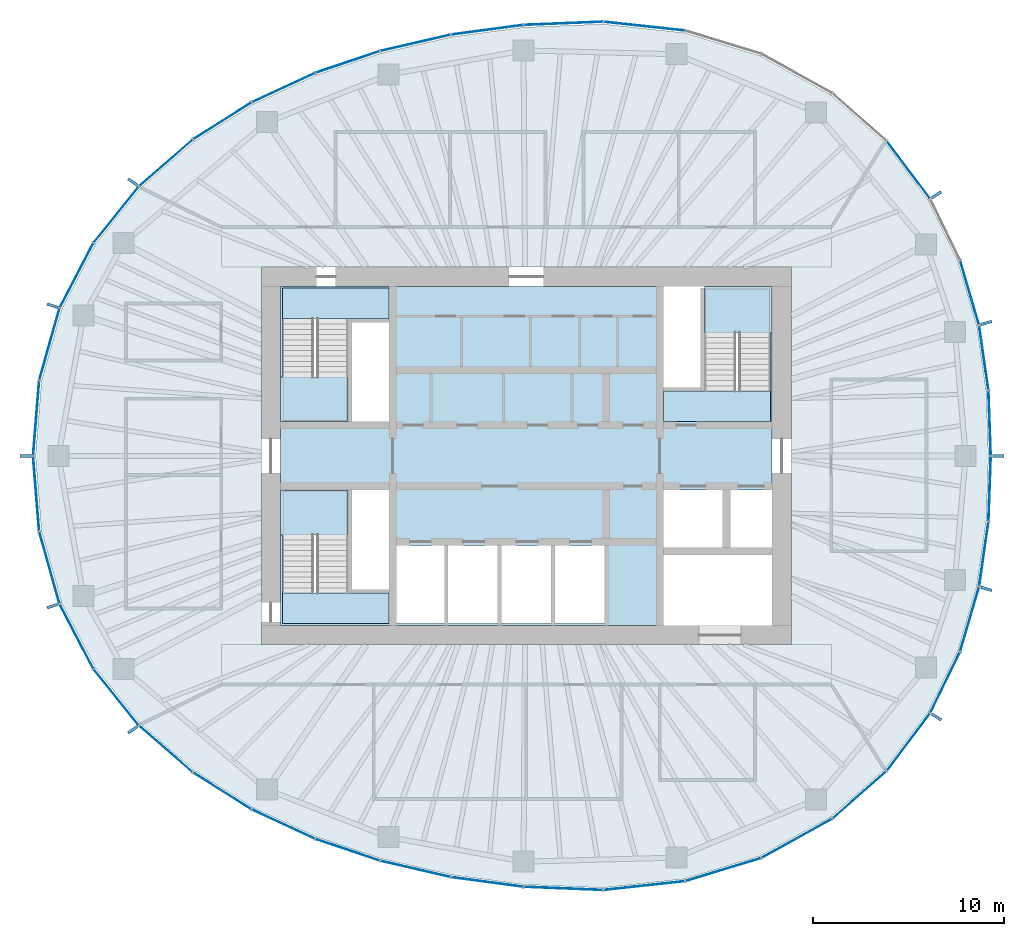
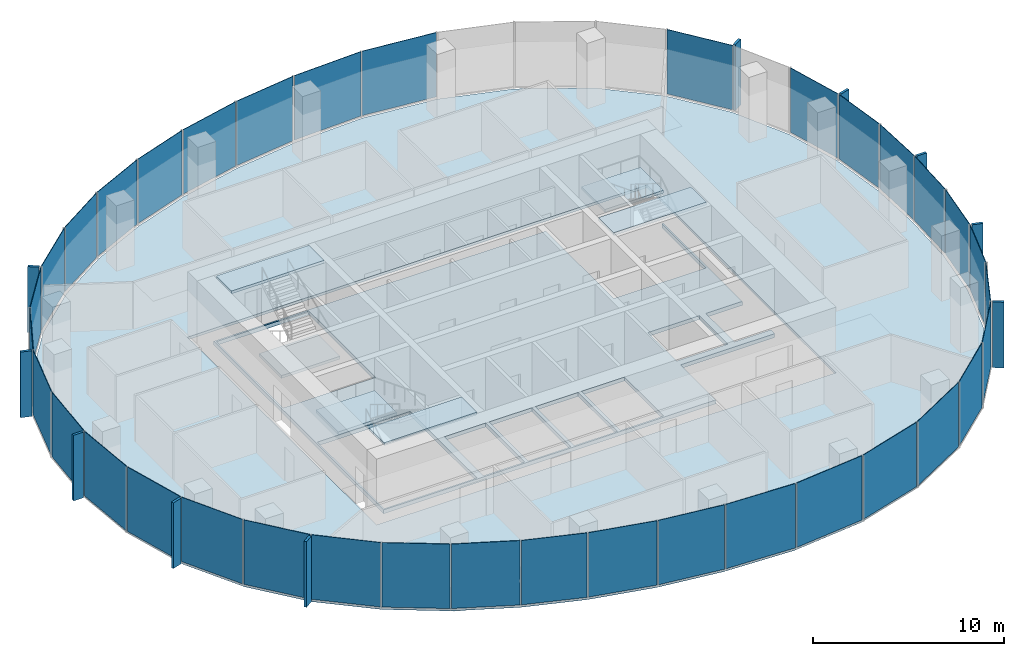
# One storey, part 7 of 11: 46 plates, 8 slabs, 22 elements without a shape of their own.
"""IFC4 building model written with IfcOpenShell, lengths in metres."""

from ifc_helpers import new_model, si_unit, direction, frame, origin, origin_2d, place, context, subcontext, project, spatial, polyline, rectangle, outline, extrude, material, layer, layer_set, type_object, element, aggregate, save


model = new_model("IFC4")

# Units and contexts
model_context = context("Model", 3, precision=1e-05, world=origin(), true_north=direction((0.0, 1.0)))
body_context = subcontext(model_context, "Body", "Model", "MODEL_VIEW")
ifc_project = project(units=[si_unit("LENGTHUNIT", "METRE"), si_unit("AREAUNIT", "SQUARE_METRE"), si_unit("VOLUMEUNIT", "CUBIC_METRE"), si_unit("PLANEANGLEUNIT", "RADIAN"), si_unit("MASSUNIT", "GRAM", prefix="KILO")], contexts=[model_context])

# Site, building, storey
site_placement = place(None, origin())
site = spatial("IfcSite", under=ifc_project, at=site_placement, CompositionType="ELEMENT")
building_placement = place(site_placement, origin())
building = spatial("IfcBuilding", under=site, at=building_placement, Name="Ghaith Harvest Tower", CompositionType="ELEMENT")
storey_placement = place(building_placement, frame((0.0, 0.0, 283.800048828125)))
storey = spatial("IfcBuildingStorey", under=building, at=storey_placement, Name="L63", CompositionType="ELEMENT", Elevation=283.800048828125)

# Curtain wall, plates
ifc_material_1 = material(Name="Black anodised aluminium and fritted glass", Category="aluminium")
curtain_wall_type = type_object("IfcCurtainWallType", Name="CW-T CURTAIN WALL", PredefinedType="NOTDEFINED", material=ifc_material_1)
curtain_wall_1_placement = place(storey_placement, origin())
curtain_wall_1 = element("IfcCurtainWall", 1, at=curtain_wall_1_placement, inside=storey, type_object=curtain_wall_type, Name="Curtain wall CW-T bay 01 L63", PredefinedType="NOTDEFINED")
ifc_material_2 = material(Name="Glass, dark solar-control fritted double glazed unit", Category="glass")
ifc_layer_1 = layer(ifc_material_2, 0.033935546875)
ifc_layer_set_1 = layer_set([ifc_layer_1], Name="CW-T VISION PANEL")
plate_type_1 = type_object("IfcPlateType", Name="CW-T VISION PANEL", PredefinedType="CURTAIN_PANEL", material=ifc_layer_set_1)
plate_1_placement = place(storey_placement, frame((24.308837890625, 1.716796875, 0.079833984375), z_axis=(0.0, 0.0, 1.0), x_axis=(-0.035536161859, 0.999368391135, 0.0)))
plate_1 = element("IfcPlate", 2, at=plate_1_placement, type_object=plate_type_1, Name="CW-T glass unit 1 bay 01 L63", PredefinedType="CURTAIN_PANEL", context=body_context, shape_type="SweptSolid", body=[
    extrude(rectangle(XDim=3.35595703125, YDim=0.033935546875, at=origin_2d()), origin(), (0.0, 0.0, 1.0), 4.1201171875),
])
plate_2_placement = place(storey_placement, frame((24.00048828125, 5.1494140625, 0.079833984375), z_axis=(0.0, 0.0, 1.0), x_axis=(-0.142729771229, 0.989761694755, 0.0)))
plate_2 = element("IfcPlate", 3, at=plate_2_placement, type_object=plate_type_1, Name="CW-T glass unit 2 bay 01 L63", PredefinedType="CURTAIN_PANEL", context=body_context, shape_type="SweptSolid", body=[
    extrude(rectangle(XDim=3.38671875, YDim=0.033935546875, at=origin_2d()), origin(), (0.0, 0.0, 1.0), 4.1201171875),
])
aggregate(curtain_wall_1, [plate_1, plate_2])

# Curtain wall, plate
curtain_wall_2_placement = place(storey_placement, origin())
curtain_wall_2 = element("IfcCurtainWall", 4, at=curtain_wall_2_placement, inside=storey, type_object=curtain_wall_type, Name="Curtain wall CW-T bay 02 L63", PredefinedType="NOTDEFINED")
plate_3_placement = place(storey_placement, frame((23.253662109375, 8.56884765625, 0.079833984375), z_axis=(0.0, 0.0, 1.0), x_axis=(-0.281344622776, 0.959606796159, 0.0)))
plate_3 = element("IfcPlate", 5, at=plate_3_placement, type_object=plate_type_1, Name="CW-T glass unit 1 bay 02 L63", PredefinedType="CURTAIN_PANEL", context=body_context, shape_type="SweptSolid", body=[
    extrude(rectangle(XDim=3.470703125, YDim=0.033935546875, at=origin_2d()), origin(), (0.0, 0.0, 1.0), 4.1201171875),
])
aggregate(curtain_wall_2, [plate_3])

curtain_wall_3_placement = place(storey_placement, origin())
curtain_wall_3 = element("IfcCurtainWall", 6, at=curtain_wall_3_placement, inside=storey, type_object=curtain_wall_type, Name="Curtain wall CW-T bay 03 L63", PredefinedType="NOTDEFINED")
plate_4_placement = place(storey_placement, frame((20.045166015625, 15.006103515625, 0.079833984375), z_axis=(0.0, 0.0, 1.0), x_axis=(-0.601047892764, 0.799213007029, 0.0)))
plate_4 = element("IfcPlate", 7, at=plate_4_placement, type_object=plate_type_1, Name="CW-T glass unit 1 bay 03 L63", PredefinedType="CURTAIN_PANEL", context=body_context, shape_type="SweptSolid", body=[
    extrude(rectangle(XDim=3.7265625, YDim=0.033935546875, at=origin_2d()), origin(), (0.0, 0.0, 1.0), 4.1201171875),
])
aggregate(curtain_wall_3, [plate_4])

# Curtain wall, plates
curtain_wall_4_placement = place(storey_placement, origin())
curtain_wall_4 = element("IfcCurtainWall", 8, at=curtain_wall_4_placement, inside=storey, type_object=curtain_wall_type, Name="Curtain wall CW-T bay 05 L63", PredefinedType="NOTDEFINED")
plate_5_placement = place(storey_placement, frame((6.188720703125, 22.542724609375, 0.079833984375), z_axis=(0.0, 0.0, 1.0), x_axis=(-0.994142883447, 0.108073712304, 0.0)))
plate_5 = element("IfcPlate", 9, at=plate_5_placement, type_object=plate_type_1, Name="CW-T glass unit 1 bay 05 L63", PredefinedType="CURTAIN_PANEL", context=body_context, shape_type="SweptSolid", body=[
    extrude(rectangle(XDim=4.24755859375, YDim=0.033935546875, at=origin_2d()), origin(), (0.0, 0.0, 1.0), 4.1201171875),
])
plate_6_placement = place(storey_placement, frame((1.94140625, 22.691162109375, 0.079833984375), z_axis=(0.0, 0.0, 1.0), x_axis=(-0.999173925852, -0.040638231968, 0.0)))
plate_6 = element("IfcPlate", 10, at=plate_6_placement, type_object=plate_type_1, Name="CW-T glass unit 2 bay 05 L63", PredefinedType="CURTAIN_PANEL", context=body_context, shape_type="SweptSolid", body=[
    extrude(rectangle(XDim=4.115966796875, YDim=0.033935546875, at=origin_2d()), origin(), (0.0, 0.0, 1.0), 4.1201171875),
])
aggregate(curtain_wall_4, [plate_5, plate_6])

curtain_wall_5_placement = place(storey_placement, origin())
curtain_wall_5 = element("IfcCurtainWall", 11, at=curtain_wall_5_placement, inside=storey, type_object=curtain_wall_type, Name="Curtain wall CW-T bay 06 L63", PredefinedType="NOTDEFINED")
plate_7_placement = place(storey_placement, frame((-2.050537109375, 22.352294921875, 0.079833984375), z_axis=(0.0, 0.0, 1.0), x_axis=(-0.991165262661, -0.132632658474, 0.0)))
plate_7 = element("IfcPlate", 12, at=plate_7_placement, type_object=plate_type_1, Name="CW-T glass unit 1 bay 06 L63", PredefinedType="CURTAIN_PANEL", context=body_context, shape_type="SweptSolid", body=[
    extrude(rectangle(XDim=3.74560546875, YDim=0.033935546875, at=origin_2d()), origin(), (0.0, 0.0, 1.0), 4.1201171875),
])
plate_8_placement = place(storey_placement, frame((-5.80859375, 21.66845703125, 0.079833984375), z_axis=(0.0, 0.0, 1.0), x_axis=(-0.974342245415, -0.225071519297, 0.0)))
plate_8 = element("IfcPlate", 13, at=plate_8_placement, type_object=plate_type_1, Name="CW-T glass unit 2 bay 06 L63", PredefinedType="CURTAIN_PANEL", context=body_context, shape_type="SweptSolid", body=[
    extrude(rectangle(XDim=3.742431640625, YDim=0.033935546875, at=origin_2d()), origin(), (0.0, 0.0, 1.0), 4.1201171875),
])
aggregate(curtain_wall_5, [plate_7, plate_8])

curtain_wall_6_placement = place(storey_placement, origin())
curtain_wall_6 = element("IfcCurtainWall", 14, at=curtain_wall_6_placement, inside=storey, type_object=curtain_wall_type, Name="Curtain wall CW-T bay 07 L63", PredefinedType="NOTDEFINED")
plate_9_placement = place(storey_placement, frame((-9.369140625, 20.665771484375, 0.079833984375), z_axis=(0.0, 0.0, 1.0), x_axis=(-0.947586403329, -0.319499621637, 0.0)))
plate_9 = element("IfcPlate", 15, at=plate_9_placement, type_object=plate_type_1, Name="CW-T glass unit 1 bay 07 L63", PredefinedType="CURTAIN_PANEL", context=body_context, shape_type="SweptSolid", body=[
    extrude(rectangle(XDim=3.50439453125, YDim=0.033935546875, at=origin_2d()), origin(), (0.0, 0.0, 1.0), 4.1201171875),
])
plate_10_placement = place(storey_placement, frame((-12.736083984375, 19.3203125, 0.079833984375), z_axis=(0.0, 0.0, 1.0), x_axis=(-0.907450165401, -0.420159728334, 0.0)))
plate_10 = element("IfcPlate", 16, at=plate_10_placement, type_object=plate_type_1, Name="CW-T glass unit 2 bay 07 L63", PredefinedType="CURTAIN_PANEL", context=body_context, shape_type="SweptSolid", body=[
    extrude(rectangle(XDim=3.597900390625, YDim=0.033935546875, at=origin_2d()), origin(), (0.0, 0.0, 1.0), 4.1201171875),
])
aggregate(curtain_wall_6, [plate_9, plate_10])

curtain_wall_7_placement = place(storey_placement, origin())
curtain_wall_7 = element("IfcCurtainWall", 17, at=curtain_wall_7_placement, inside=storey, type_object=curtain_wall_type, Name="Curtain wall CW-T bay 08 L63", PredefinedType="NOTDEFINED")
plate_11_placement = place(storey_placement, frame((-15.94970703125, 17.57421875, 0.079833984375), z_axis=(0.0, 0.0, 1.0), x_axis=(-0.846043473903, -0.533113909279, 0.0)))
plate_11 = element("IfcPlate", 18, at=plate_11_placement, type_object=plate_type_1, Name="CW-T glass unit 1 bay 08 L63", PredefinedType="CURTAIN_PANEL", context=body_context, shape_type="SweptSolid", body=[
    extrude(rectangle(XDim=3.572021484375, YDim=0.033935546875, at=origin_2d()), origin(), (0.0, 0.0, 1.0), 4.1201171875),
])
plate_12_placement = place(storey_placement, frame((-18.909423828125, 15.371337890625, 0.079833984375), z_axis=(0.0, 0.0, 1.0), x_axis=(-0.754828549513, -0.655922145411, 0.0)))
plate_12 = element("IfcPlate", 19, at=plate_12_placement, type_object=plate_type_1, Name="CW-T glass unit 2 bay 08 L63", PredefinedType="CURTAIN_PANEL", context=body_context, shape_type="SweptSolid", body=[
    extrude(rectangle(XDim=3.668701171875, YDim=0.033935546875, at=origin_2d()), origin(), (0.0, 0.0, 1.0), 4.1201171875),
])
aggregate(curtain_wall_7, [plate_11, plate_12])

curtain_wall_8_placement = place(storey_placement, origin())
curtain_wall_8 = element("IfcCurtainWall", 20, at=curtain_wall_8_placement, inside=storey, type_object=curtain_wall_type, Name="Curtain wall CW-T bay 09 L63", PredefinedType="NOTDEFINED")
plate_13_placement = place(storey_placement, frame((-21.515380859375, 12.6591796875, 0.079833984375), z_axis=(0.0, 0.0, 1.0), x_axis=(-0.626229505742, -0.779638766441, 0.0)))
plate_13 = element("IfcPlate", 21, at=plate_13_placement, type_object=plate_type_1, Name="CW-T glass unit 1 bay 09 L63", PredefinedType="CURTAIN_PANEL", context=body_context, shape_type="SweptSolid", body=[
    extrude(rectangle(XDim=3.723388671875, YDim=0.033935546875, at=origin_2d()), origin(), (0.0, 0.0, 1.0), 4.1201171875),
])
plate_14_placement = place(storey_placement, frame((-23.594482421875, 9.4677734375, 0.079833984375), z_axis=(0.0, 0.0, 1.0), x_axis=(-0.461229945578, -0.887280641794, 0.0)))
plate_14 = element("IfcPlate", 22, at=plate_14_placement, type_object=plate_type_1, Name="CW-T glass unit 2 bay 09 L63", PredefinedType="CURTAIN_PANEL", context=body_context, shape_type="SweptSolid", body=[
    extrude(rectangle(XDim=3.771728515625, YDim=0.033935546875, at=origin_2d()), origin(), (0.0, 0.0, 1.0), 4.1201171875),
])
aggregate(curtain_wall_8, [plate_13, plate_14])

curtain_wall_9_placement = place(storey_placement, origin())
curtain_wall_9 = element("IfcCurtainWall", 23, at=curtain_wall_9_placement, inside=storey, type_object=curtain_wall_type, Name="Curtain wall CW-T bay 10 L63", PredefinedType="NOTDEFINED")
plate_15_placement = place(storey_placement, frame((-25.017333984375, 5.85546875, 0.079833984375), z_axis=(0.0, 0.0, 1.0), x_axis=(-0.270355239749, -0.962760637095, 0.0)))
plate_15 = element("IfcPlate", 24, at=plate_15_placement, type_object=plate_type_1, Name="CW-T glass unit 1 bay 10 L63", PredefinedType="CURTAIN_PANEL", context=body_context, shape_type="SweptSolid", body=[
    extrude(rectangle(XDim=3.874267578125, YDim=0.033935546875, at=origin_2d()), origin(), (0.0, 0.0, 1.0), 4.1201171875),
])
plate_16_placement = place(storey_placement, frame((-25.7109375, 1.97607421875, 0.079833984375), z_axis=(0.0, 0.0, 1.0), x_axis=(-0.080257648011, -0.99677415192, 0.0)))
plate_16 = element("IfcPlate", 25, at=plate_16_placement, type_object=plate_type_1, Name="CW-T glass unit 2 bay 10 L63", PredefinedType="CURTAIN_PANEL", context=body_context, shape_type="SweptSolid", body=[
    extrude(rectangle(XDim=3.884765625, YDim=0.033935546875, at=origin_2d()), origin(), (0.0, 0.0, 1.0), 4.1201171875),
])
aggregate(curtain_wall_9, [plate_15, plate_16])

curtain_wall_10_placement = place(storey_placement, origin())
curtain_wall_10 = element("IfcCurtainWall", 26, at=curtain_wall_10_placement, inside=storey, type_object=curtain_wall_type, Name="Curtain wall CW-T bay 11 L63", PredefinedType="NOTDEFINED")
plate_17_placement = place(storey_placement, frame((-25.7109375, -1.97607421875, 0.079833984375), z_axis=(0.0, 0.0, 1.0), x_axis=(0.080257648324, -0.996774151895, 0.0)))
plate_17 = element("IfcPlate", 27, at=plate_17_placement, type_object=plate_type_1, Name="CW-T glass unit 1 bay 11 L63", PredefinedType="CURTAIN_PANEL", context=body_context, shape_type="SweptSolid", body=[
    extrude(rectangle(XDim=3.884765625, YDim=0.033935546875, at=origin_2d()), origin(), (0.0, 0.0, 1.0), 4.1201171875),
])
plate_18_placement = place(storey_placement, frame((-25.017333984375, -5.85546875, 0.079833984375), z_axis=(0.0, 0.0, 1.0), x_axis=(0.27035523953, -0.962760637157, 0.0)))
plate_18 = element("IfcPlate", 28, at=plate_18_placement, type_object=plate_type_1, Name="CW-T glass unit 2 bay 11 L63", PredefinedType="CURTAIN_PANEL", context=body_context, shape_type="SweptSolid", body=[
    extrude(rectangle(XDim=3.874267578125, YDim=0.033935546875, at=origin_2d()), origin(), (0.0, 0.0, 1.0), 4.1201171875),
])
aggregate(curtain_wall_10, [plate_17, plate_18])

curtain_wall_11_placement = place(storey_placement, origin())
curtain_wall_11 = element("IfcCurtainWall", 29, at=curtain_wall_11_placement, inside=storey, type_object=curtain_wall_type, Name="Curtain wall CW-T bay 12 L63", PredefinedType="NOTDEFINED")
plate_19_placement = place(storey_placement, frame((-23.594482421875, -9.4677734375, 0.079833984375), z_axis=(0.0, 0.0, 1.0), x_axis=(0.461229945377, -0.887280641898, 0.0)))
plate_19 = element("IfcPlate", 30, at=plate_19_placement, type_object=plate_type_1, Name="CW-T glass unit 1 bay 12 L63", PredefinedType="CURTAIN_PANEL", context=body_context, shape_type="SweptSolid", body=[
    extrude(rectangle(XDim=3.771728515625, YDim=0.033935546875, at=origin_2d()), origin(), (0.0, 0.0, 1.0), 4.1201171875),
])
plate_20_placement = place(storey_placement, frame((-21.515380859375, -12.6591796875, 0.079833984375), z_axis=(0.0, 0.0, 1.0), x_axis=(0.626229505565, -0.779638766583, 0.0)))
plate_20 = element("IfcPlate", 31, at=plate_20_placement, type_object=plate_type_1, Name="CW-T glass unit 2 bay 12 L63", PredefinedType="CURTAIN_PANEL", context=body_context, shape_type="SweptSolid", body=[
    extrude(rectangle(XDim=3.723388671875, YDim=0.033935546875, at=origin_2d()), origin(), (0.0, 0.0, 1.0), 4.1201171875),
])
aggregate(curtain_wall_11, [plate_19, plate_20])

curtain_wall_12_placement = place(storey_placement, origin())
curtain_wall_12 = element("IfcCurtainWall", 32, at=curtain_wall_12_placement, inside=storey, type_object=curtain_wall_type, Name="Curtain wall CW-T bay 13 L63", PredefinedType="NOTDEFINED")
plate_21_placement = place(storey_placement, frame((-18.909423828125, -15.371337890625, 0.079833984375), z_axis=(0.0, 0.0, 1.0), x_axis=(0.754828549376, -0.655922145569, 0.0)))
plate_21 = element("IfcPlate", 33, at=plate_21_placement, type_object=plate_type_1, Name="CW-T glass unit 1 bay 13 L63", PredefinedType="CURTAIN_PANEL", context=body_context, shape_type="SweptSolid", body=[
    extrude(rectangle(XDim=3.668701171875, YDim=0.033935546875, at=origin_2d()), origin(), (0.0, 0.0, 1.0), 4.1201171875),
])
plate_22_placement = place(storey_placement, frame((-15.94970703125, -17.57421875, 0.079833984375), z_axis=(0.0, 0.0, 1.0), x_axis=(0.846043474052, -0.533113909042, 0.0)))
plate_22 = element("IfcPlate", 34, at=plate_22_placement, type_object=plate_type_1, Name="CW-T glass unit 2 bay 13 L63", PredefinedType="CURTAIN_PANEL", context=body_context, shape_type="SweptSolid", body=[
    extrude(rectangle(XDim=3.572021484375, YDim=0.033935546875, at=origin_2d()), origin(), (0.0, 0.0, 1.0), 4.1201171875),
])
aggregate(curtain_wall_12, [plate_21, plate_22])

curtain_wall_13_placement = place(storey_placement, origin())
curtain_wall_13 = element("IfcCurtainWall", 35, at=curtain_wall_13_placement, inside=storey, type_object=curtain_wall_type, Name="Curtain wall CW-T bay 14 L63", PredefinedType="NOTDEFINED")
plate_23_placement = place(storey_placement, frame((-12.736083984375, -19.3203125, 0.079833984375), z_axis=(0.0, 0.0, 1.0), x_axis=(0.907450165812, -0.420159727447, 0.0)))
plate_23 = element("IfcPlate", 36, at=plate_23_placement, type_object=plate_type_1, Name="CW-T glass unit 1 bay 14 L63", PredefinedType="CURTAIN_PANEL", context=body_context, shape_type="SweptSolid", body=[
    extrude(rectangle(XDim=3.597900390625, YDim=0.033935546875, at=origin_2d()), origin(), (0.0, 0.0, 1.0), 4.1201171875),
])
plate_24_placement = place(storey_placement, frame((-9.369140625, -20.665771484375, 0.079833984375), z_axis=(0.0, 0.0, 1.0), x_axis=(0.947586403597, -0.319499620843, 0.0)))
plate_24 = element("IfcPlate", 37, at=plate_24_placement, type_object=plate_type_1, Name="CW-T glass unit 2 bay 14 L63", PredefinedType="CURTAIN_PANEL", context=body_context, shape_type="SweptSolid", body=[
    extrude(rectangle(XDim=3.50439453125, YDim=0.033935546875, at=origin_2d()), origin(), (0.0, 0.0, 1.0), 4.1201171875),
])
aggregate(curtain_wall_13, [plate_23, plate_24])

curtain_wall_14_placement = place(storey_placement, origin())
curtain_wall_14 = element("IfcCurtainWall", 38, at=curtain_wall_14_placement, inside=storey, type_object=curtain_wall_type, Name="Curtain wall CW-T bay 15 L63", PredefinedType="NOTDEFINED")
plate_25_placement = place(storey_placement, frame((-5.80859375, -21.66845703125, 0.079833984375), z_axis=(0.0, 0.0, 1.0), x_axis=(0.974342245521, -0.225071518838, 0.0)))
plate_25 = element("IfcPlate", 39, at=plate_25_placement, type_object=plate_type_1, Name="CW-T glass unit 1 bay 15 L63", PredefinedType="CURTAIN_PANEL", context=body_context, shape_type="SweptSolid", body=[
    extrude(rectangle(XDim=3.742431640625, YDim=0.033935546875, at=origin_2d()), origin(), (0.0, 0.0, 1.0), 4.1201171875),
])
plate_26_placement = place(storey_placement, frame((-2.050537109375, -22.352294921875, 0.079833984375), z_axis=(0.0, 0.0, 1.0), x_axis=(0.991165262684, -0.132632658301, 0.0)))
plate_26 = element("IfcPlate", 40, at=plate_26_placement, type_object=plate_type_1, Name="CW-T glass unit 2 bay 15 L63", PredefinedType="CURTAIN_PANEL", context=body_context, shape_type="SweptSolid", body=[
    extrude(rectangle(XDim=3.74560546875, YDim=0.033935546875, at=origin_2d()), origin(), (0.0, 0.0, 1.0), 4.1201171875),
])
aggregate(curtain_wall_14, [plate_25, plate_26])

curtain_wall_15_placement = place(storey_placement, origin())
curtain_wall_15 = element("IfcCurtainWall", 41, at=curtain_wall_15_placement, inside=storey, type_object=curtain_wall_type, Name="Curtain wall CW-T bay 16 L63", PredefinedType="NOTDEFINED")
plate_27_placement = place(storey_placement, frame((1.94140625, -22.691162109375, 0.079833984375), z_axis=(0.0, 0.0, 1.0), x_axis=(0.999173925863, -0.040638231706, 0.0)))
plate_27 = element("IfcPlate", 42, at=plate_27_placement, type_object=plate_type_1, Name="CW-T glass unit 1 bay 16 L63", PredefinedType="CURTAIN_PANEL", context=body_context, shape_type="SweptSolid", body=[
    extrude(rectangle(XDim=4.115966796875, YDim=0.033935546875, at=origin_2d()), origin(), (0.0, 0.0, 1.0), 4.1201171875),
])
plate_28_placement = place(storey_placement, frame((6.188720703125, -22.542724609375, 0.079833984375), z_axis=(0.0, 0.0, 1.0), x_axis=(0.994142883417, 0.108073712581, 0.0)))
plate_28 = element("IfcPlate", 43, at=plate_28_placement, type_object=plate_type_1, Name="CW-T glass unit 2 bay 16 L63", PredefinedType="CURTAIN_PANEL", context=body_context, shape_type="SweptSolid", body=[
    extrude(rectangle(XDim=4.24755859375, YDim=0.033935546875, at=origin_2d()), origin(), (0.0, 0.0, 1.0), 4.1201171875),
])
aggregate(curtain_wall_15, [plate_27, plate_28])

curtain_wall_16_placement = place(storey_placement, origin())
curtain_wall_16 = element("IfcCurtainWall", 44, at=curtain_wall_16_placement, inside=storey, type_object=curtain_wall_type, Name="Curtain wall CW-T bay 17 L63", PredefinedType="NOTDEFINED")
plate_29_placement = place(storey_placement, frame((10.337158203125, -21.700439453125, 0.079833984375), z_axis=(0.0, 0.0, 1.0), x_axis=(0.956587736012, 0.291444511548, 0.0)))
plate_29 = element("IfcPlate", 45, at=plate_29_placement, type_object=plate_type_1, Name="CW-T glass unit 1 bay 17 L63", PredefinedType="CURTAIN_PANEL", context=body_context, shape_type="SweptSolid", body=[
    extrude(rectangle(XDim=4.095703125, YDim=0.033935546875, at=origin_2d()), origin(), (0.0, 0.0, 1.0), 4.1201171875),
])
plate_30_placement = place(storey_placement, frame((14.19189453125, -20.06201171875, 0.079833984375), z_axis=(0.0, 0.0, 1.0), x_axis=(0.874564022715, 0.484910064004, 0.0)))
plate_30 = element("IfcPlate", 46, at=plate_30_placement, type_object=plate_type_1, Name="CW-T glass unit 2 bay 17 L63", PredefinedType="CURTAIN_PANEL", context=body_context, shape_type="SweptSolid", body=[
    extrude(rectangle(XDim=4.167724609375, YDim=0.033935546875, at=origin_2d()), origin(), (0.0, 0.0, 1.0), 4.1201171875),
])
aggregate(curtain_wall_16, [plate_29, plate_30])

curtain_wall_17_placement = place(storey_placement, origin())
curtain_wall_17 = element("IfcCurtainWall", 47, at=curtain_wall_17_placement, inside=storey, type_object=curtain_wall_type, Name="Curtain wall CW-T bay 18 L63", PredefinedType="NOTDEFINED")
plate_31_placement = place(storey_placement, frame((17.47509765625, -17.779541015625, 0.079833984375), z_axis=(0.0, 0.0, 1.0), x_axis=(0.751334532577, 0.659921525757, 0.0)))
plate_31 = element("IfcPlate", 48, at=plate_31_placement, type_object=plate_type_1, Name="CW-T glass unit 1 bay 18 L63", PredefinedType="CURTAIN_PANEL", context=body_context, shape_type="SweptSolid", body=[
    extrude(rectangle(XDim=3.7158203125, YDim=0.033935546875, at=origin_2d()), origin(), (0.0, 0.0, 1.0), 4.1201171875),
])
plate_32_placement = place(storey_placement, frame((20.045166015625, -15.006103515625, 0.079833984375), z_axis=(0.0, 0.0, 1.0), x_axis=(0.601047892945, 0.799213006892, 0.0)))
plate_32 = element("IfcPlate", 49, at=plate_32_placement, type_object=plate_type_1, Name="CW-T glass unit 2 bay 18 L63", PredefinedType="CURTAIN_PANEL", context=body_context, shape_type="SweptSolid", body=[
    extrude(rectangle(XDim=3.7265625, YDim=0.033935546875, at=origin_2d()), origin(), (0.0, 0.0, 1.0), 4.1201171875),
])
aggregate(curtain_wall_17, [plate_31, plate_32])

curtain_wall_18_placement = place(storey_placement, origin())
curtain_wall_18 = element("IfcCurtainWall", 50, at=curtain_wall_18_placement, inside=storey, type_object=curtain_wall_type, Name="Curtain wall CW-T bay 19 L63", PredefinedType="NOTDEFINED")
plate_33_placement = place(storey_placement, frame((21.9716796875, -11.878662109375, 0.079833984375), z_axis=(0.0, 0.0, 1.0), x_axis=(0.437968365352, 0.898990384237, 0.0)))
plate_33 = element("IfcPlate", 51, at=plate_33_placement, type_object=plate_type_1, Name="CW-T glass unit 1 bay 19 L63", PredefinedType="CURTAIN_PANEL", context=body_context, shape_type="SweptSolid", body=[
    extrude(rectangle(XDim=3.49365234375, YDim=0.033935546875, at=origin_2d()), origin(), (0.0, 0.0, 1.0), 4.1201171875),
])
plate_34_placement = place(storey_placement, frame((23.253662109375, -8.56884765625, 0.079833984375), z_axis=(0.0, 0.0, 1.0), x_axis=(0.281344622977, 0.9596067961, 0.0)))
plate_34 = element("IfcPlate", 52, at=plate_34_placement, type_object=plate_type_1, Name="CW-T glass unit 2 bay 19 L63", PredefinedType="CURTAIN_PANEL", context=body_context, shape_type="SweptSolid", body=[
    extrude(rectangle(XDim=3.470703125, YDim=0.033935546875, at=origin_2d()), origin(), (0.0, 0.0, 1.0), 4.1201171875),
])
aggregate(curtain_wall_18, [plate_33, plate_34])

curtain_wall_19_placement = place(storey_placement, origin())
curtain_wall_19 = element("IfcCurtainWall", 53, at=curtain_wall_19_placement, inside=storey, type_object=curtain_wall_type, Name="Curtain wall CW-T bay 20 L63", PredefinedType="NOTDEFINED")
plate_35_placement = place(storey_placement, frame((24.00048828125, -5.1494140625, 0.079833984375), z_axis=(0.0, 0.0, 1.0), x_axis=(0.142729771402, 0.98976169473, 0.0)))
plate_35 = element("IfcPlate", 54, at=plate_35_placement, type_object=plate_type_1, Name="CW-T glass unit 1 bay 20 L63", PredefinedType="CURTAIN_PANEL", context=body_context, shape_type="SweptSolid", body=[
    extrude(rectangle(XDim=3.38671875, YDim=0.033935546875, at=origin_2d()), origin(), (0.0, 0.0, 1.0), 4.1201171875),
])
plate_36_placement = place(storey_placement, frame((24.308837890625, -1.716796875, 0.079833984375), z_axis=(0.0, 0.0, 1.0), x_axis=(0.035536161929, 0.999368391133, 0.0)))
plate_36 = element("IfcPlate", 55, at=plate_36_placement, type_object=plate_type_1, Name="CW-T glass unit 2 bay 20 L63", PredefinedType="CURTAIN_PANEL", context=body_context, shape_type="SweptSolid", body=[
    extrude(rectangle(XDim=3.35595703125, YDim=0.033935546875, at=origin_2d()), origin(), (0.0, 0.0, 1.0), 4.1201171875),
])
aggregate(curtain_wall_19, [plate_35, plate_36])

# Slabs
ifc_material_3 = material(Name="Concrete C40/50", Category="concrete")
ifc_layer_2 = layer(ifc_material_3, 0.169921875)
ifc_layer_set_2 = layer_set([ifc_layer_2], Name="FLOOR SLAB 170")
slab_type_1 = type_object("IfcSlabType", Name="FLOOR SLAB 170", PredefinedType="FLOOR", material=ifc_layer_set_2)
slab_1_placement = place(storey_placement, frame((0.0, 0.0, -0.170166015625)))
element("IfcSlab", 56, at=slab_1_placement, inside=storey, type_object=slab_type_1, Name="Floor slab L63", PredefinedType="FLOOR", context=body_context, shape_type="SweptSolid", body=[
    extrude(outline(polyline([(24.25, 0.0), (24.129150390625, 3.4169921875), (23.6376953125, 6.831787109375), (22.644775390625, 10.222900390625), (21.087890625, 13.42041015625), (18.810791015625, 16.4482421875), (15.971923828125, 18.940185546875), (12.273681640625, 20.98828125), (8.2978515625, 22.1962890625), (4.016845703125, 22.658447265625), (-0.15380859375, 22.486083984375), (-3.92529296875, 21.98046875), (-7.6298828125, 21.12548828125), (-11.009521484375, 19.98779296875), (-14.331298828125, 18.452880859375), (-17.40771484375, 16.518310546875), (-20.225830078125, 14.0732421875), (-22.5986328125, 11.12353515625), (-24.368408203125, 7.722900390625), (-25.43310546875, 3.93359375), (-25.75, 0.0), (-25.43310546875, -3.93359375), (-24.368408203125, -7.722900390625), (-22.5986328125, -11.12353515625), (-20.225830078125, -14.0732421875), (-17.40771484375, -16.518310546875), (-14.331298828125, -18.452880859375), (-11.009521484375, -19.98779296875), (-7.6298828125, -21.12548828125), (-3.92529296875, -21.98046875), (-0.15380859375, -22.486083984375), (4.016845703125, -22.658447265625), (8.2978515625, -22.1962890625), (12.273681640625, -20.98828125), (15.971923828125, -18.940185546875), (18.810791015625, -16.4482421875), (21.087890625, -13.42041015625), (22.644775390625, -10.222900390625), (23.6376953125, -6.831787109375), (24.129150390625, -3.4169921875), (24.25, 0.0)]), holes=[polyline([(-13.89990234375, -9.89990234375), (13.89990234375, -9.89990234375), (13.89990234375, 9.89990234375), (-13.89990234375, 9.89990234375), (-13.89990234375, -9.89990234375)])]), origin(), (0.0, 0.0, 1.0), 0.170166015625),
])
ifc_material_4 = material(Name="Concrete C40/50", Category="concrete")
ifc_layer_3 = layer(ifc_material_4, 0.25)
ifc_layer_set_3 = layer_set([ifc_layer_3], Name="FLOOR SLAB 250")
slab_type_2 = type_object("IfcSlabType", Name="FLOOR SLAB 250", PredefinedType="FLOOR", material=ifc_layer_set_3)
slab_2_placement = place(storey_placement, frame((0.0, 0.0, -0.25)))
element("IfcSlab", 57, at=slab_2_placement, inside=storey, type_object=slab_type_2, Name="Core slab L63", PredefinedType="FLOOR", context=body_context, shape_type="SweptSolid", body=[
    extrude(outline(polyline([(-12.89990234375, 8.89990234375), (7.199951171875, 8.89990234375), (7.199951171875, 1.800048828125), (12.800048828125, 1.800048828125), (12.800048828125, 6.4599609375), (12.89990234375, 6.4599609375), (12.89990234375, -1.800048828125), (10.699951171875, -1.800048828125), (10.699951171875, -4.800048828125), (12.89990234375, -4.800048828125), (12.89990234375, -5.199951171875), (7.199951171875, -5.199951171875), (7.199951171875, -8.89990234375), (-12.89990234375, -8.89990234375), (-12.89990234375, 8.89990234375)]), holes=[polyline([(-4.300048828125, -4.699951171875), (-6.800048828125, -4.699951171875), (-6.800048828125, -8.800048828125), (-4.300048828125, -8.800048828125), (-4.300048828125, -4.699951171875)]), polyline([(-1.5, -4.699951171875), (-4.10009765625, -4.699951171875), (-4.10009765625, -8.800048828125), (-1.5, -8.800048828125), (-1.5, -4.699951171875)]), polyline([(1.300048828125, -8.800048828125), (1.300048828125, -4.699951171875), (-1.300048828125, -4.699951171875), (-1.300048828125, -8.800048828125), (1.300048828125, -8.800048828125)]), polyline([(4.10009765625, -8.800048828125), (4.10009765625, -4.699951171875), (1.5, -4.699951171875), (1.5, -8.800048828125), (4.10009765625, -8.800048828125)]), polyline([(-7.199951171875, -1.800048828125), (-12.800048828125, -1.800048828125), (-12.800048828125, -8.800048828125), (-7.199951171875, -8.800048828125), (-7.199951171875, -1.800048828125)]), polyline([(10.300048828125, -1.800048828125), (7.199951171875, -1.800048828125), (7.199951171875, -4.800048828125), (10.300048828125, -4.800048828125), (10.300048828125, -1.800048828125)]), polyline([(-12.800048828125, 1.800048828125), (-7.199951171875, 1.800048828125), (-7.199951171875, 8.800048828125), (-12.800048828125, 8.800048828125), (-12.800048828125, 1.800048828125)])]), origin(), (0.0, 0.0, 1.0), 0.25),
])

# Stair, slabs
ifc_material_5 = material(Name="Concrete C40/50, precast", Category="concrete")
stair_type = type_object("IfcStairType", Name="CORE STAIR 24R", PredefinedType="HALF_TURN_STAIR", material=ifc_material_5)
stair_1_placement = place(storey_placement, origin())
stair_1 = element("IfcStair", 58, at=stair_1_placement, inside=storey, type_object=stair_type, Name="Stair ST1 L63", PredefinedType="HALF_TURN_STAIR")
ifc_material_6 = material(Name="Concrete C40/50, precast", Category="concrete")
ifc_layer_4 = layer(ifc_material_6, 0.179931640625)
ifc_layer_set_4 = layer_set([ifc_layer_4], Name="STAIR LANDING 180")
slab_type_3 = type_object("IfcSlabType", Name="STAIR LANDING 180", PredefinedType="LANDING", material=ifc_layer_set_4)
slab_3_placement = place(storey_placement, frame((0.0, 0.0, 1.919921875)))
slab_3 = element("IfcSlab", 59, at=slab_3_placement, type_object=slab_type_3, Name="ST1 landing 1", PredefinedType="LANDING", context=body_context, shape_type="SweptSolid", body=[
    extrude(outline(polyline([(-12.89990234375, 4.139892578125), (-12.89990234375, 1.800048828125), (-9.35009765625, 1.800048828125), (-9.35009765625, 4.139892578125), (-12.89990234375, 4.139892578125)])), origin(), (0.0, 0.0, 1.0), 0.179931640625),
])
slab_4_placement = place(storey_placement, frame((0.0, 0.0, 4.02001953125)))
slab_4 = element("IfcSlab", 60, at=slab_4_placement, type_object=slab_type_3, Name="ST1 landing 2", PredefinedType="LANDING", context=body_context, shape_type="SweptSolid", body=[
    extrude(outline(polyline([(-12.800048828125, 8.800048828125), (-12.800048828125, 7.199951171875), (-7.199951171875, 7.199951171875), (-7.199951171875, 8.800048828125), (-12.800048828125, 8.800048828125)])), origin(), (0.0, 0.0, 1.0), 0.179931640625),
])
aggregate(stair_1, [slab_3, slab_4])

stair_2_placement = place(storey_placement, origin())
stair_2 = element("IfcStair", 61, at=stair_2_placement, inside=storey, type_object=stair_type, Name="Stair ST3 L63", PredefinedType="HALF_TURN_STAIR")
slab_5_placement = place(storey_placement, frame((0.0, 0.0, 1.919921875)))
slab_5 = element("IfcSlab", 62, at=slab_5_placement, type_object=slab_type_3, Name="ST3 landing 1", PredefinedType="LANDING", context=body_context, shape_type="SweptSolid", body=[
    extrude(outline(polyline([(-12.89990234375, -4.139892578125), (-12.89990234375, -1.800048828125), (-9.35009765625, -1.800048828125), (-9.35009765625, -4.139892578125), (-12.89990234375, -4.139892578125)])), origin(), (0.0, 0.0, 1.0), 0.179931640625),
])
slab_6_placement = place(storey_placement, frame((0.0, 0.0, 4.02001953125)))
slab_6 = element("IfcSlab", 63, at=slab_6_placement, type_object=slab_type_3, Name="ST3 landing 2", PredefinedType="LANDING", context=body_context, shape_type="SweptSolid", body=[
    extrude(outline(polyline([(-12.800048828125, -8.800048828125), (-12.800048828125, -7.199951171875), (-7.199951171875, -7.199951171875), (-7.199951171875, -8.800048828125), (-12.800048828125, -8.800048828125)])), origin(), (0.0, 0.0, 1.0), 0.179931640625),
])
aggregate(stair_2, [slab_5, slab_6])

stair_3_placement = place(storey_placement, origin())
stair_3 = element("IfcStair", 64, at=stair_3_placement, inside=storey, type_object=stair_type, Name="Stair ST2 L63", PredefinedType="HALF_TURN_STAIR")
slab_7_placement = place(storey_placement, frame((0.0, 0.0, 1.919921875)))
slab_7 = element("IfcSlab", 65, at=slab_7_placement, type_object=slab_type_3, Name="ST2 landing 1", PredefinedType="LANDING", context=body_context, shape_type="SweptSolid", body=[
    extrude(outline(polyline([(12.89990234375, 6.4599609375), (12.89990234375, 8.89990234375), (9.35009765625, 8.89990234375), (9.35009765625, 6.4599609375), (12.89990234375, 6.4599609375)])), origin(), (0.0, 0.0, 1.0), 0.179931640625),
])
slab_8_placement = place(storey_placement, frame((0.0, 0.0, 4.02001953125)))
slab_8 = element("IfcSlab", 66, at=slab_8_placement, type_object=slab_type_3, Name="ST2 landing 2", PredefinedType="LANDING", context=body_context, shape_type="SweptSolid", body=[
    extrude(outline(polyline([(12.800048828125, 1.800048828125), (12.800048828125, 3.39990234375), (7.199951171875, 3.39990234375), (7.199951171875, 1.800048828125), (12.800048828125, 1.800048828125)])), origin(), (0.0, 0.0, 1.0), 0.179931640625),
])
aggregate(stair_3, [slab_7, slab_8])

# Plates
ifc_material_7 = material(Name="Glassfibre-reinforced concrete", Category="concrete")
ifc_layer_5 = layer(ifc_material_7, 0.14990234375)
ifc_layer_set_5 = layer_set([ifc_layer_5], Name="SUN-BREAKER FIN 600x150")
plate_type_2 = type_object("IfcPlateType", Name="SUN-BREAKER FIN 600x150", PredefinedType="USERDEFINED", material=ifc_layer_set_5)
for number, where, z_axis, x_axis, name in (
    (67, (24.760009765625, 0.0, 0.0), (0.0, 0.0, 1.0), (1.0, 0.0, 0.0), "Sun-breaker fin CW-T 1 bay 01 L63"),
    (68, (24.127685546875, 6.973388671875, 0.0), (0.0, 0.0, 1.0), (0.960680349985, 0.277656739792, 0.0), "Sun-breaker fin CW-T 1 bay 02 L63"),
    (69, (21.51806640625, 13.6943359375, 0.0), (0.0, 0.0, 1.0), (0.843643971464, 0.536903016766, 0.0), "Sun-breaker fin CW-T 1 bay 03 L63"),
    (70, (-20.64453125, 14.364501953125, 0.0), (0.0, 0.0, 1.0), (-0.820845486523, 0.571150319316, 0.0), "Sun-breaker fin CW-T 1 bay 09 L63"),
    (71, (-24.8544921875, 7.876708984375, 0.0), (0.0, 0.0, 1.0), (-0.953273219358, 0.302109531884, 0.0), "Sun-breaker fin CW-T 1 bay 10 L63"),
    (72, (-26.260009765625, 0.0, 0.0), (0.0, 0.0, 1.0), (-1.0, -4.19e-10, 0.0), "Sun-breaker fin CW-T 1 bay 11 L63"),
    (73, (-24.8544921875, -7.876708984375, 0.0), (0.0, 0.0, 1.0), (-0.953273219416, -0.302109531701, 0.0), "Sun-breaker fin CW-T 1 bay 12 L63"),
    (74, (-20.64453125, -14.364501953125, 0.0), (0.0, 0.0, 1.0), (-0.820845486622, -0.571150319173, 0.0), "Sun-breaker fin CW-T 1 bay 13 L63"),
    (75, (21.51806640625, -13.6943359375, 0.0), (0.0, 0.0, 1.0), (0.84364397137, -0.536903016913, 0.0), "Sun-breaker fin CW-T 1 bay 19 L63"),
    (76, (24.127685546875, -6.973388671875, 0.0), (0.0, 0.0, 1.0), (0.960680349932, -0.277656739976, 0.0), "Sun-breaker fin CW-T 1 bay 20 L63"),
):
    element("IfcPlate", number, at=place(storey_placement, frame(where, z_axis=z_axis, x_axis=x_axis)), inside=storey, type_object=plate_type_2, Name=name, ObjectType="SUN-BREAKER FIN", PredefinedType="USERDEFINED", context=body_context, shape_type="SweptSolid", body=[
        extrude(rectangle(XDim=0.60009765625, YDim=0.14990234375, at=origin_2d()), origin(), (0.0, 0.0, 1.0), 4.199951171875),
    ])

save(model, "model.ifc")
